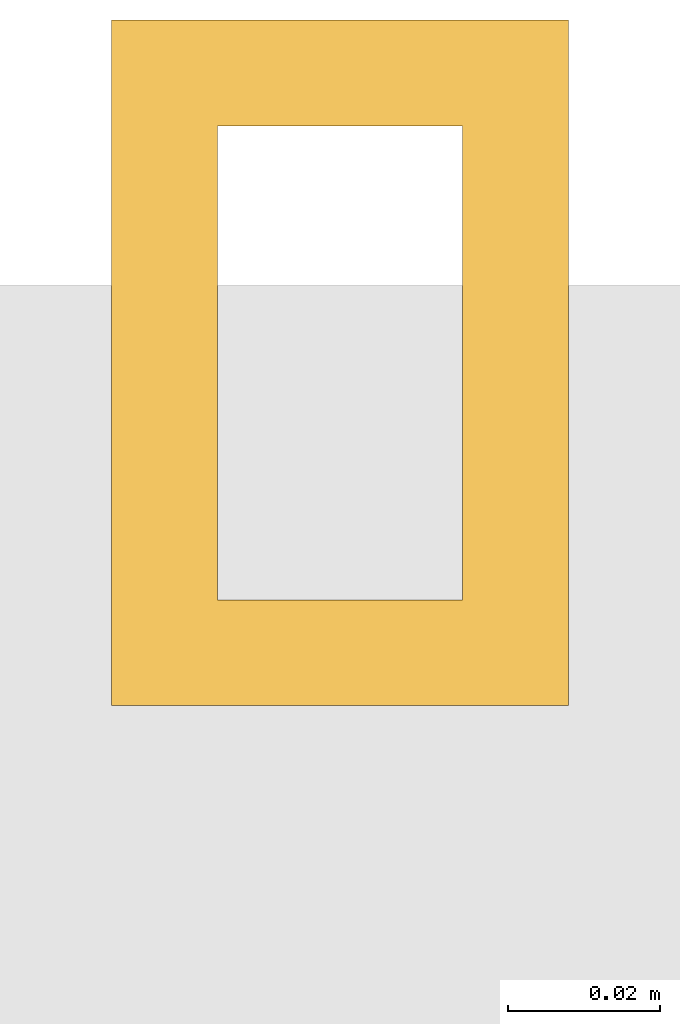
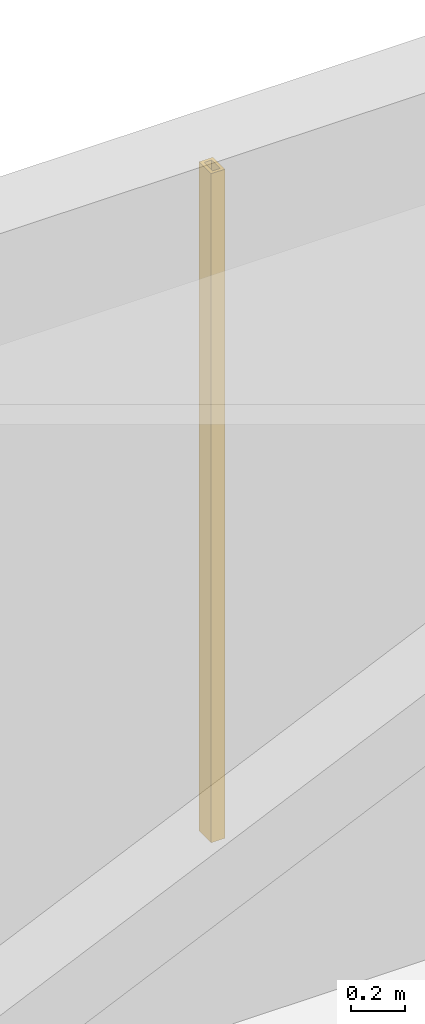
# One storey, part 45 of 46: 1 shading device.
"""IFC4 building model written with IfcOpenShell, lengths in metres."""

import ifcopenshell
import ifcopenshell.guid

model = None  # the IFC model being written
_history = None  # IfcOwnerHistory: only IFC2X3 demands one
_inside = {}  # id of a spatial element -> (the spatial element, [elements in it])
_under = {}  # id of a project, library or spatial element -> (it, [spatial elements below it])
_declared = {}  # id of a project -> (the project, [libraries it declares])
_typed = {}  # id of a type object -> (the type object, [elements of that type])
_made_of = {}  # id of a material, layer set ... -> (it, [elements and type objects made of it])


def new_model(schema):
    """Start an empty IFC model of exactly this schema.

    Asked for "IFC4X3", IfcOpenShell would pick the latest addendum, in which some entities
    have other attributes; the version numbers below select the first issue.
    IFC2X3 requires an IfcOwnerHistory on every rooted entity: one is made here for all.
    """
    global model, _history
    if schema == "IFC4X3":
        model = ifcopenshell.file(schema_version=(4, 3, 0, 0))
    else:
        model = ifcopenshell.file(schema=schema)
    _inside.clear()
    _under.clear()
    _declared.clear()
    _typed.clear()
    _made_of.clear()
    _history = None
    if model.schema == "IFC2X3":
        org = make("IfcOrganization", Name="unknown")
        user = make(
            "IfcPersonAndOrganization",
            ThePerson=make("IfcPerson", FamilyName="unknown"),
            TheOrganization=org,
        )
        app = make(
            "IfcApplication",
            ApplicationDeveloper=org,
            Version="unknown",
            ApplicationFullName="unknown",
            ApplicationIdentifier="unknown",
        )
        _history = make(
            "IfcOwnerHistory",
            OwningUser=user,
            OwningApplication=app,
            ChangeAction="ADDED",
            CreationDate=0,
        )
    return model


def make(cls, **values):
    """One entity of the class cls with the attributes given. An attribute that is None is left unset."""
    return model.create_entity(
        cls, **{name: value for name, value in values.items() if value is not None}
    )


def rooted(cls, **values):
    """An entity with a GlobalId (a new one), such as an element, a storey or a relation."""
    return make(cls, GlobalId=ifcopenshell.guid.new(), OwnerHistory=_history, **values)


def si_unit(unit_type, name, prefix=None):
    """IfcSIUnit, for example si_unit("LENGTHUNIT", "METRE", prefix="MILLI")."""
    return make("IfcSIUnit", UnitType=unit_type, Prefix=prefix, Name=name)


def assignment(units):
    """IfcUnitAssignment: the units of a project."""
    return None if units is None else make("IfcUnitAssignment", Units=units)


def point(xyz):
    """IfcCartesianPoint."""
    return None if xyz is None else make("IfcCartesianPoint", Coordinates=xyz)


def direction(xyz):
    """IfcDirection."""
    return None if xyz is None else make("IfcDirection", DirectionRatios=xyz)


def frame(location, z_axis=None, x_axis=None):
    """IfcAxis2Placement3D, a coordinate frame: its origin and axes. An axis left out is left unset."""
    return make(
        "IfcAxis2Placement3D",
        Location=point(location),
        Axis=direction(z_axis),
        RefDirection=direction(x_axis),
    )


def frame_2d(location, x_axis=None):
    """IfcAxis2Placement2D, a coordinate frame in the plane: its origin and x axis."""
    return make(
        "IfcAxis2Placement2D", Location=point(location), RefDirection=direction(x_axis)
    )


def origin():
    """The frame at (0, 0, 0) with its axes left unset."""
    return frame((0.0, 0.0, 0.0))


def origin_2d():
    """The frame at (0, 0) in the plane with its x axis left unset."""
    return frame_2d((0.0, 0.0))


def place(relative_to, where):
    """IfcLocalPlacement: puts the frame where relative to a parent placement (None: the world)."""
    return make(
        "IfcLocalPlacement", PlacementRelTo=relative_to, RelativePlacement=where
    )


def context(
    kind, dimensions, precision=None, world=None, true_north=None, identifier=None
):
    """IfcGeometricRepresentationContext, for example the 3D "Model" context."""
    return make(
        "IfcGeometricRepresentationContext",
        ContextIdentifier=identifier,
        ContextType=kind,
        CoordinateSpaceDimension=dimensions,
        Precision=precision,
        WorldCoordinateSystem=world,
        TrueNorth=true_north,
    )


def subcontext(parent, identifier, kind, view, scale=None):
    """IfcGeometricRepresentationSubContext, for example "Body" below "Model"."""
    return make(
        "IfcGeometricRepresentationSubContext",
        ContextIdentifier=identifier,
        ContextType=kind,
        ParentContext=parent,
        TargetScale=scale,
        TargetView=view,
    )


def project(units=None, contexts=None):
    """IfcProject with its units and contexts."""
    return rooted(
        "IfcProject",
        Name="project",
        RepresentationContexts=contexts,
        UnitsInContext=assignment(units),
    )


def spatial(cls, under=None, at=None, **own):
    """A site, building, storey or space (cls), placed at a placement, below another one or the project."""
    s = rooted(cls, ObjectPlacement=at, **own)
    if under is not None:
        _under.setdefault(under.id(), (under, []))[1].append(s)
    return s


def profile(cls, at=None, kind="AREA", **sizes):
    """A parametric profile (cls). Its sizes go by their IFC names, for example OverallWidth=200.0."""
    return make(cls, ProfileType=kind, Position=at, **sizes)


def hollow_rectangle(**sizes):
    """IfcRectangleHollowProfileDef."""
    return profile("IfcRectangleHollowProfileDef", **sizes)


def extrude(swept, where, along, depth):
    """IfcExtrudedAreaSolid: the profile swept, set in the frame where, extruded along a direction by depth."""
    return make(
        "IfcExtrudedAreaSolid",
        SweptArea=swept,
        Position=where,
        ExtrudedDirection=direction(along),
        Depth=depth,
    )


def shape(context_of_items, identifier, shape_type, items):
    """IfcShapeRepresentation: the items that make up one representation, for example the "Body"."""
    return make(
        "IfcShapeRepresentation",
        ContextOfItems=context_of_items,
        RepresentationIdentifier=identifier,
        RepresentationType=shape_type,
        Items=items,
    )


def material(Name=None, Category=None):
    """IfcMaterial."""
    return make("IfcMaterial", Name=Name, Category=Category)


def material_profile(
    of_material, cross_section, Name=None, Category=None, Priority=None
):
    """IfcMaterialProfile: a cross section and its material."""
    return make(
        "IfcMaterialProfile",
        Name=Name,
        Material=of_material,
        Profile=cross_section,
        Priority=Priority,
        Category=Category,
    )


def profile_set(profiles, Name=None, composite=None):
    """IfcMaterialProfileSet."""
    return make(
        "IfcMaterialProfileSet",
        Name=Name,
        MaterialProfiles=profiles,
        CompositeProfile=composite,
    )


def made_of(thing, what):
    """Note that an element or type object is made of a material, layer set ...; save() writes the relation."""
    if what is not None:
        _made_of.setdefault(what.id(), (what, []))[1].append(thing)
    return thing


def type_object(cls, material=None, **own):
    """A type object (cls), such as IfcWallType, which elements share."""
    return made_of(rooted(cls, **own), material)


def element(
    cls,
    number,
    at=None,
    inside=None,
    cuts=None,
    type_object=None,
    material=None,
    context=None,
    identifier="Body",
    shape_type=None,
    held_by="IfcProductDefinitionShape",
    body=None,
    shapes=None,
    **own,
):
    """One element of the class cls, such as IfcWall. Its Tag is "e" and its number.

    at: its placement. inside: the storey or other place that contains it. cuts: it is an
    opening in that element (IfcRelVoidsElement). A single representation is given by context,
    identifier, shape_type and body (its items); several are given by shapes. held_by: the class
    of the entity that holds the representations. save() writes the other relations.
    """
    e = rooted(cls, Tag="e%d" % number, ObjectPlacement=at, **own)
    if body is not None:
        shapes = [shape(context, identifier, shape_type, body)]
    if shapes is not None:
        e.Representation = make(held_by, Representations=shapes)
    if inside is not None:
        _inside.setdefault(inside.id(), (inside, []))[1].append(e)
    if cuts is not None:
        rooted(
            "IfcRelVoidsElement", RelatingBuildingElement=cuts, RelatedOpeningElement=e
        )
    if type_object is not None:
        _typed.setdefault(type_object.id(), (type_object, []))[1].append(e)
    return made_of(e, material)


def aggregate(whole, parts):
    """IfcRelAggregates: a whole, such as a stair, and the parts it consists of."""
    return rooted("IfcRelAggregates", RelatingObject=whole, RelatedObjects=parts)


def save(model, path):
    """Write the relations noted so far, then the file.

    IfcRelAggregates (storeys below a building ...), IfcRelContainedInSpatialStructure (elements
    in a storey), IfcRelDefinesByType, IfcRelAssociatesMaterial and IfcRelDeclares: one each for
    every whole, place, type object, material and project.
    """
    for whole, parts in _under.values():
        aggregate(whole, parts)
    for where, things in _inside.values():
        rooted(
            "IfcRelContainedInSpatialStructure",
            RelatedElements=things,
            RelatingStructure=where,
        )
    for kind, things in _typed.values():
        rooted("IfcRelDefinesByType", RelatedObjects=things, RelatingType=kind)
    for what, things in _made_of.values():
        rooted("IfcRelAssociatesMaterial", RelatedObjects=things, RelatingMaterial=what)
    for by, libraries in _declared.values():
        rooted("IfcRelDeclares", RelatingContext=by, RelatedDefinitions=libraries)
    model.write(path)


model = new_model("IFC4")

# Units and contexts
model_context = context("Model", 3, precision=1e-05, world=origin(), true_north=direction((0.0, 1.0)))
body_context = subcontext(model_context, "Body", "Model", "MODEL_VIEW")
ifc_project = project(units=[si_unit("LENGTHUNIT", "METRE"), si_unit("AREAUNIT", "SQUARE_METRE"), si_unit("VOLUMEUNIT", "CUBIC_METRE"), si_unit("PLANEANGLEUNIT", "RADIAN"), si_unit("MASSUNIT", "GRAM", prefix="KILO")], contexts=[model_context])

# Site, building, storey
site_placement = place(None, origin())
site = spatial("IfcSite", under=ifc_project, at=site_placement, CompositionType="ELEMENT")
building_placement = place(site_placement, origin())
building = spatial("IfcBuilding", under=site, at=building_placement, Name="Punatoya Terracotta Tower", CompositionType="ELEMENT")
storey_placement = place(building_placement, frame((0.0, 0.0, 330.0)))
storey = spatial("IfcBuildingStorey", under=building, at=storey_placement, Name="L78", CompositionType="ELEMENT", Elevation=330.0)

# Shading device
ifc_material = material(Name="Architectural Fired Terracotta", Category="masonry")
ifc_material_profile = material_profile(ifc_material, hollow_rectangle(XDim=0.06005859375, YDim=0.090087890625, WallThickness=0.013916015625, at=origin_2d()))
ifc_profile_set = profile_set([ifc_material_profile], Name="Architectural Fired Terracotta")
shading_device_type = type_object("IfcShadingDeviceType", Name="SHD-JALI-90", PredefinedType="JALOUSIE", material=ifc_profile_set)
shading_device_placement = place(storey_placement, frame((0.0, 18.64990234375, 0.60009765625), z_axis=(0.0, 0.0, 1.0), x_axis=(1.0, 0.0, 0.0)))
element("IfcShadingDevice", 1, at=shading_device_placement, inside=storey, type_object=shading_device_type, Name="L78 Braced Bay Terracotta Jali Fin N1", PredefinedType="JALOUSIE", context=body_context, shape_type="SweptSolid", body=[
    extrude(hollow_rectangle(XDim=0.06005859375, YDim=0.090087890625, WallThickness=0.013916015625, at=origin_2d()), origin(), (0.0, 0.0, 1.0), 3.039794921875),
])

save(model, "model.ifc")
